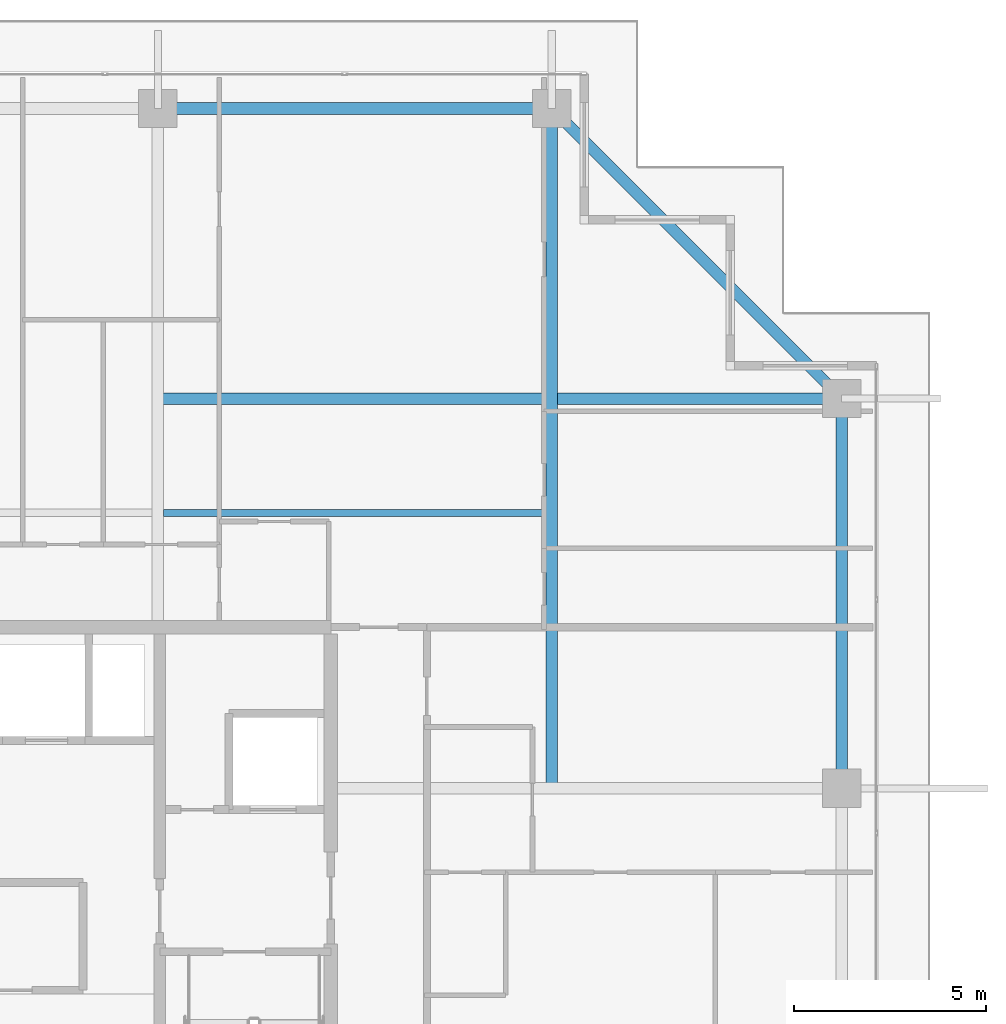
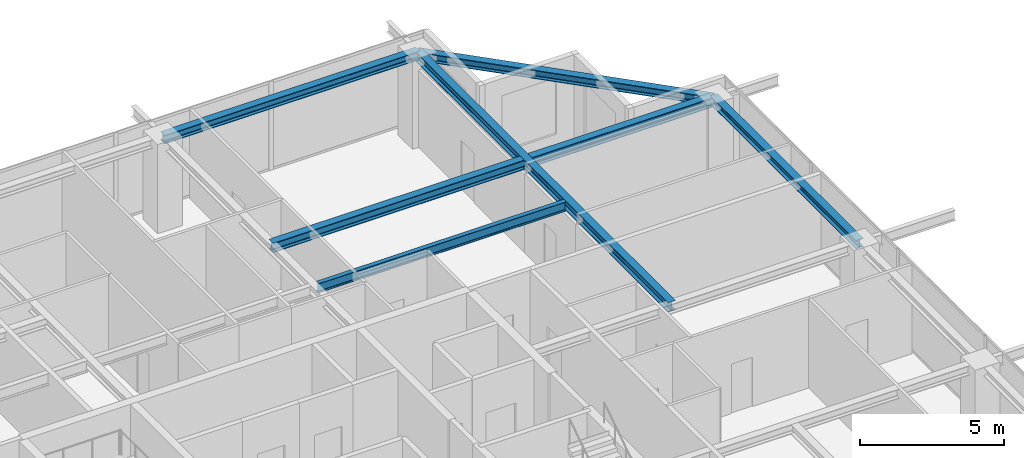
# One storey, part 22 of 37: 6 beams.
"""IFC4 building model written with IfcOpenShell, lengths in metres."""

from ifc_helpers import new_model, si_unit, direction, frame, origin, origin_2d, place, context, subcontext, project, spatial, i_section, extrude, source, transform, mapped, material, material_profile, profile_set, type_object, element, save


model = new_model("IFC4")

# Units and contexts
model_context = context("Model", 3, precision=1e-05, world=origin(), true_north=direction((0.0, 1.0)))
body_context = subcontext(model_context, "Body", "Model", "MODEL_VIEW")
ifc_project = project(units=[si_unit("LENGTHUNIT", "METRE"), si_unit("AREAUNIT", "SQUARE_METRE"), si_unit("VOLUMEUNIT", "CUBIC_METRE"), si_unit("PLANEANGLEUNIT", "RADIAN"), si_unit("MASSUNIT", "GRAM", prefix="KILO")], contexts=[model_context])

# Site, building, storey
site_placement = place(None, origin())
site = spatial("IfcSite", under=ifc_project, at=site_placement, CompositionType="ELEMENT")
building_placement = place(site_placement, origin())
building = spatial("IfcBuilding", under=site, at=building_placement, Name="Serunith Strait Residences", CompositionType="ELEMENT")
storey_placement = place(building_placement, frame((0.0, 0.0, 305.60009765625)))
storey = spatial("IfcBuildingStorey", under=building, at=storey_placement, Name="L76", CompositionType="ELEMENT", Elevation=305.60009765625)

# Beams
ifc_material = material(Name="Steel S355J2", Category="steel")
ifc_material_profile_1 = material_profile(ifc_material, i_section(OverallWidth=0.300048828125, OverallDepth=0.39990234375, WebThickness=0.013427734375, FlangeThickness=0.02392578125, FilletRadius=0.027099609375, at=origin_2d()), Name="HEB 400")
ifc_profile_set_1 = profile_set([ifc_material_profile_1], Name="Steel S355J2")
beam_type_1 = type_object("IfcBeamType", Name="BM-HEB400", PredefinedType="BEAM", material=ifc_profile_set_1)
shared_shape_1 = source(origin(), body_context, "Body", "SweptSolid", [
    extrude(i_section(OverallWidth=0.300048828125, OverallDepth=0.39990234375, WebThickness=0.013427734375, FlangeThickness=0.02392578125, FilletRadius=0.027099609375, at=origin_2d()), origin(), (0.0, 0.0, 1.0), 17.7001953125),
])
beam_1_placement = place(storey_placement, frame((47.14990234375, 29.39990234375, 3.5869140625), z_axis=(0.0, 1.0, 0.0), x_axis=(-1.0, 0.0, 0.0)))
element("IfcBeam", 1, at=beam_1_placement, inside=storey, type_object=beam_type_1, Name="L76 Orthogonal Corner Girder TC-N4", PredefinedType="BEAM", context=body_context, shape_type="MappedRepresentation", body=[
    mapped(shared_shape_1, transform((0.0, 0.0, 0.0), scale=1.0)),
])
shared_shape_2 = source(origin(), body_context, "Body", "SweptSolid", [
    extrude(i_section(OverallWidth=0.300048828125, OverallDepth=0.39990234375, WebThickness=0.013427734375, FlangeThickness=0.02392578125, FilletRadius=0.027099609375, at=origin_2d()), origin(), (0.0, 0.0, 1.0), 17.800048828125),
])
beam_2_placement = place(storey_placement, frame((36.89990234375, 39.550048828125, 3.5869140625), z_axis=(1.0, 0.0, 0.0), x_axis=(0.0, 1.0, 0.0)))
element("IfcBeam", 2, at=beam_2_placement, inside=storey, type_object=beam_type_1, Name="L76 Orthogonal Corner Girder TC-E4", PredefinedType="BEAM", context=body_context, shape_type="MappedRepresentation", body=[
    mapped(shared_shape_2, transform((0.0, 0.0, 0.0), scale=1.0)),
])
ifc_material_profile_2 = material_profile(ifc_material, i_section(OverallWidth=0.300048828125, OverallDepth=0.360107421875, WebThickness=0.012451171875, FlangeThickness=0.0224609375, FilletRadius=0.027099609375, at=origin_2d()), Name="HEB 360")
ifc_profile_set_2 = profile_set([ifc_material_profile_2], Name="Steel S355J2")
beam_type_2 = type_object("IfcBeamType", Name="BM-HEB360", PredefinedType="BEAM", material=ifc_profile_set_2)
shared_shape_3 = source(origin(), body_context, "Body", "SweptSolid", [
    extrude(i_section(OverallWidth=0.300048828125, OverallDepth=0.360107421875, WebThickness=0.012451171875, FlangeThickness=0.0224609375, FilletRadius=0.027099609375, at=origin_2d()), origin(), (0.0, 0.0, 1.0), 10.25),
])
beam_3_placement = place(storey_placement, frame((47.14990234375, 47.10009765625, 3.60693359375), z_axis=(-1.0, 0.0, 0.0), x_axis=(0.0, -1.0, 0.0)))
element("IfcBeam", 3, at=beam_3_placement, inside=storey, type_object=beam_type_2, Name="L76 Perimeter Ring Beam 09", PredefinedType="BEAM", context=body_context, shape_type="MappedRepresentation", body=[
    mapped(shared_shape_3, transform((0.0, 0.0, 0.0), scale=1.0)),
])
shared_shape_4 = source(origin(), body_context, "Body", "SweptSolid", [
    extrude(i_section(OverallWidth=0.300048828125, OverallDepth=0.360107421875, WebThickness=0.012451171875, FlangeThickness=0.0224609375, FilletRadius=0.027099609375, at=origin_2d()), origin(), (0.0, 0.0, 1.0), 10.677490234375),
])
beam_4_placement = place(storey_placement, frame((54.699951171875, 39.550048828125, 3.576904296875), z_axis=(-0.707106781187, 0.707106781187, 0.0), x_axis=(-0.707106781187, -0.707106781187, 0.0)))
element("IfcBeam", 4, at=beam_4_placement, inside=storey, type_object=beam_type_2, Name="L76 Perimeter Ring Beam 08", PredefinedType="BEAM", context=body_context, shape_type="MappedRepresentation", body=[
    mapped(shared_shape_4, transform((0.0, 0.0, 0.0), scale=1.0)),
])
shared_shape_5 = source(origin(), body_context, "Body", "SweptSolid", [
    extrude(i_section(OverallWidth=0.300048828125, OverallDepth=0.360107421875, WebThickness=0.012451171875, FlangeThickness=0.0224609375, FilletRadius=0.027099609375, at=origin_2d()), origin(), (0.0, 0.0, 1.0), 10.150146484375),
])
beam_5_placement = place(storey_placement, frame((54.699951171875, 29.39990234375, 3.60693359375), z_axis=(0.0, 1.0, 0.0), x_axis=(-1.0, 0.0, 0.0)))
element("IfcBeam", 5, at=beam_5_placement, inside=storey, type_object=beam_type_2, Name="L76 Perimeter Ring Beam 07", PredefinedType="BEAM", context=body_context, shape_type="MappedRepresentation", body=[
    mapped(shared_shape_5, transform((0.0, 0.0, 0.0), scale=1.0)),
])
ifc_material_profile_3 = material_profile(ifc_material, i_section(OverallWidth=0.179931640625, OverallDepth=0.39990234375, WebThickness=0.008544921875, FlangeThickness=0.013427734375, FilletRadius=0.02099609375, at=origin_2d()), Name="IPE 400")
ifc_profile_set_3 = profile_set([ifc_material_profile_3], Name="Steel S355J2")
beam_type_3 = type_object("IfcBeamType", Name="BM-IPE400", PredefinedType="JOIST", material=ifc_profile_set_3)
shared_shape_6 = source(origin(), body_context, "Body", "SweptSolid", [
    extrude(i_section(OverallWidth=0.179931640625, OverallDepth=0.39990234375, WebThickness=0.008544921875, FlangeThickness=0.013427734375, FilletRadius=0.02099609375, at=origin_2d()), origin(), (0.0, 0.0, 1.0), 9.949951171875),
])
beam_6_placement = place(storey_placement, frame((37.050048828125, 36.574951171875, 3.5869140625), z_axis=(1.0, 0.0, 0.0), x_axis=(0.0, 1.0, 0.0)))
element("IfcBeam", 6, at=beam_6_placement, inside=storey, type_object=beam_type_3, Name="L76 Composite Floor Joist 06", PredefinedType="JOIST", context=body_context, shape_type="MappedRepresentation", body=[
    mapped(shared_shape_6, transform((0.0, 0.0, 0.0), scale=1.0)),
])

save(model, "model.ifc")
